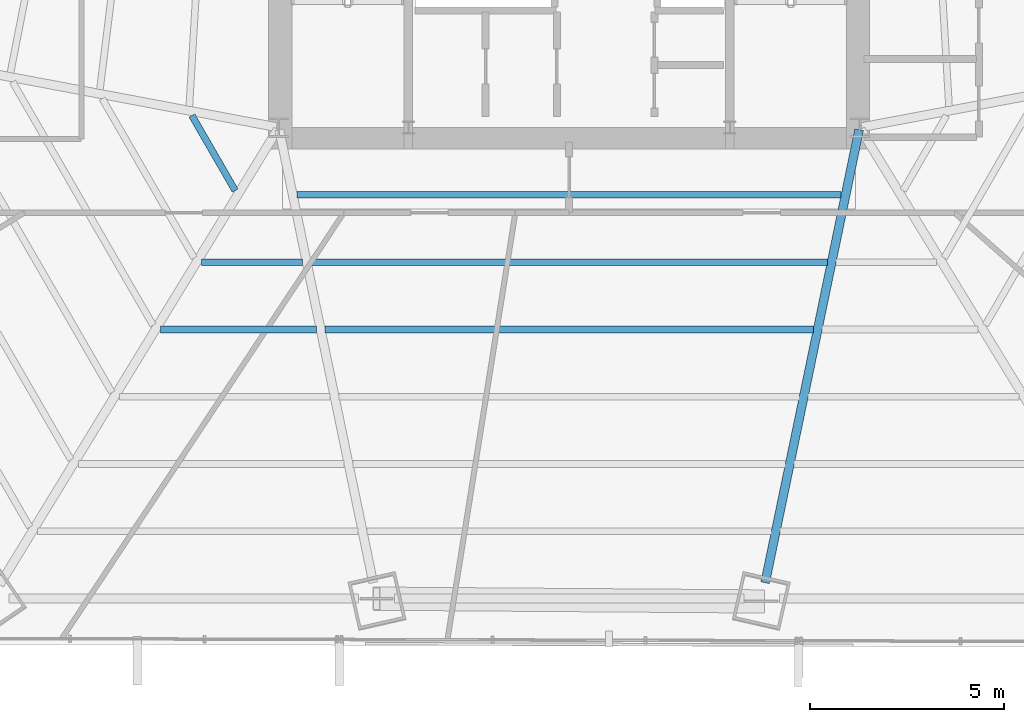
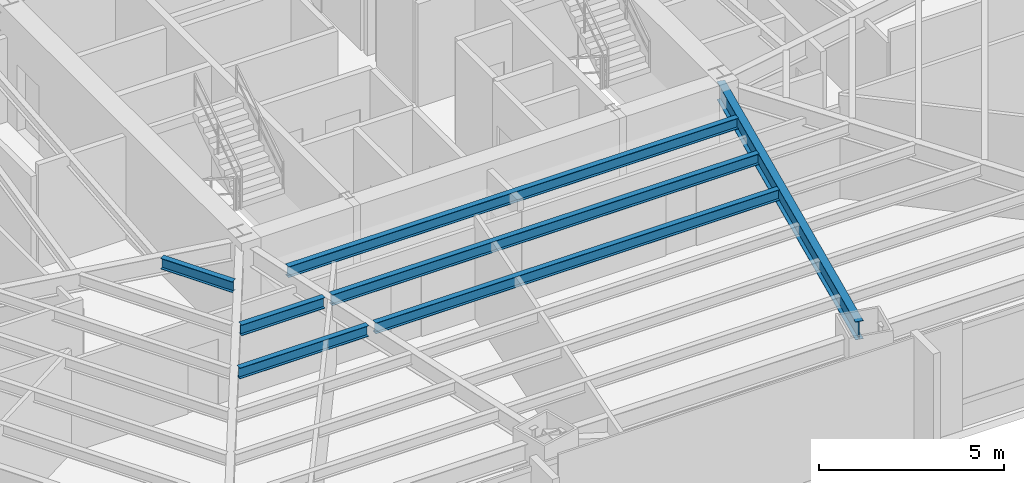
# One storey, part 10 of 37: 7 beams.
"""IFC4 building model written with IfcOpenShell, lengths in metres."""

from ifc_helpers import new_model, si_unit, direction, frame, origin, origin_2d, place, context, subcontext, project, spatial, i_section, extrude, source, transform, mapped, material, material_profile, profile_set, type_object, type_shapes, element, save


model = new_model("IFC4")

# Units and contexts
model_context = context("Model", 3, precision=1e-05, world=origin(), true_north=direction((0.0, 1.0)))
body_context = subcontext(model_context, "Body", "Model", "MODEL_VIEW")
ifc_project = project(units=[si_unit("LENGTHUNIT", "METRE"), si_unit("AREAUNIT", "SQUARE_METRE"), si_unit("VOLUMEUNIT", "CUBIC_METRE"), si_unit("PLANEANGLEUNIT", "RADIAN"), si_unit("MASSUNIT", "GRAM", prefix="KILO")], contexts=[model_context])

# Site, building, storey
site_placement = place(None, origin())
site = spatial("IfcSite", under=ifc_project, at=site_placement, CompositionType="ELEMENT")
building_placement = place(site_placement, origin())
building = spatial("IfcBuilding", under=site, at=building_placement, Name="Caelisora Broadcast Tower", CompositionType="ELEMENT")
storey_placement = place(building_placement, frame((0.0, 0.0, 45.85009765625)))
storey = spatial("IfcBuildingStorey", under=building, at=storey_placement, Name="L11", CompositionType="ELEMENT", Elevation=45.85009765625)

# Beams
ifc_material = material(Name="Steel Grade 350 (AS/NZS 3679.1)", Category="steel")
ifc_material_profile_1 = material_profile(ifc_material, i_section(OverallWidth=0.22802734375, OverallDepth=0.602294921875, WebThickness=0.010498046875, FlangeThickness=0.014892578125, at=origin_2d()), Name="Steel Grade 350 (AS/NZS 3679.1)")
ifc_profile_set_1 = profile_set([ifc_material_profile_1], Name="Steel Grade 350 (AS/NZS 3679.1)")
beam_type_1 = type_object("IfcBeamType", Name="PG04", PredefinedType="BEAM", material=ifc_profile_set_1)
shared_shape_1 = source(origin(), body_context, "Body", "SweptSolid", [
    extrude(i_section(OverallWidth=0.22802734375, OverallDepth=0.602294921875, WebThickness=0.010498046875, FlangeThickness=0.014892578125, at=origin_2d()), origin(), (0.0, 0.0, 1.0), 11.9453125),
])
type_shapes(beam_type_1, [shared_shape_1])
beam_1_placement = place(storey_placement, frame((45.48779296875, 17.34130859375, 3.098876953125), z_axis=(-0.203154347034, -0.979146726125, 0.0), x_axis=(0.979146726125, -0.203154347034, 0.0)))
element("IfcBeam", 1, at=beam_1_placement, inside=storey, type_object=beam_type_1, Name="L11 beam PG04", PredefinedType="BEAM", context=body_context, shape_type="MappedRepresentation", body=[
    mapped(shared_shape_1, transform((0.0, 0.0, 0.0), scale=1.0)),
])
ifc_material_profile_2 = material_profile(ifc_material, i_section(OverallWidth=0.172119140625, OverallDepth=0.358642578125, WebThickness=0.008056640625, FlangeThickness=0.012939453125, at=origin_2d()), Name="Steel Grade 350 (AS/NZS 3679.1)")
ifc_profile_set_2 = profile_set([ifc_material_profile_2], Name="Steel Grade 350 (AS/NZS 3679.1)")
beam_type_2 = type_object("IfcBeamType", Name="SB02", PredefinedType="JOIST", material=ifc_profile_set_2)
shared_shape_2 = source(origin(), body_context, "Body", "SweptSolid", [
    extrude(i_section(OverallWidth=0.172119140625, OverallDepth=0.358642578125, WebThickness=0.008056640625, FlangeThickness=0.012939453125, at=origin_2d()), origin(), (0.0, 0.0, 1.0), 2.23681640625),
])
beam_2_placement = place(storey_placement, frame((28.257080078125, 17.708984375, 3.220703125), z_axis=(0.499977539641, -0.866038370891, 0.0), x_axis=(0.866038370891, 0.499977539641, 0.0)))
element("IfcBeam", 2, at=beam_2_placement, inside=storey, type_object=beam_type_2, Name="L11 beam SB02", PredefinedType="JOIST", context=body_context, shape_type="MappedRepresentation", body=[
    mapped(shared_shape_2, transform((0.0, 0.0, 0.0), scale=1.0)),
])
shared_shape_3 = source(origin(), body_context, "Body", "SweptSolid", [
    extrude(i_section(OverallWidth=0.172119140625, OverallDepth=0.358642578125, WebThickness=0.008056640625, FlangeThickness=0.012939453125, at=origin_2d()), origin(), (0.0, 0.0, 1.0), 2.599365234375),
])
beam_3_placement = place(storey_placement, frame((28.508544921875, 13.923828125, 3.220703125), z_axis=(1.0, 0.0, 0.0), x_axis=(0.0, 1.0, 0.0)))
element("IfcBeam", 3, at=beam_3_placement, inside=storey, type_object=beam_type_2, Name="L11 beam SB02", PredefinedType="JOIST", context=body_context, shape_type="MappedRepresentation", body=[
    mapped(shared_shape_3, transform((0.0, 0.0, 0.0), scale=1.0)),
])
shared_shape_4 = source(origin(), body_context, "Body", "SweptSolid", [
    extrude(i_section(OverallWidth=0.172119140625, OverallDepth=0.358642578125, WebThickness=0.008056640625, FlangeThickness=0.012939453125, at=origin_2d()), origin(), (0.0, 0.0, 1.0), 4.02099609375),
])
beam_4_placement = place(storey_placement, frame((27.447509765625, 12.185791015625, 3.220703125), z_axis=(1.0, 0.0, 0.0), x_axis=(0.0, 1.0, 0.0)))
element("IfcBeam", 4, at=beam_4_placement, inside=storey, type_object=beam_type_2, Name="L11 beam SB02", PredefinedType="JOIST", context=body_context, shape_type="MappedRepresentation", body=[
    mapped(shared_shape_4, transform((0.0, 0.0, 0.0), scale=1.0)),
])
shared_shape_5 = source(origin(), body_context, "Body", "SweptSolid", [
    extrude(i_section(OverallWidth=0.172119140625, OverallDepth=0.358642578125, WebThickness=0.008056640625, FlangeThickness=0.012939453125, at=origin_2d()), origin(), (0.0, 0.0, 1.0), 14.0517578125),
])
beam_5_placement = place(storey_placement, frame((30.97412109375, 15.662109375, 3.220703125), z_axis=(1.0, 0.0, 0.0), x_axis=(0.0, 1.0, 0.0)))
element("IfcBeam", 5, at=beam_5_placement, inside=storey, type_object=beam_type_2, Name="L11 beam SB02", PredefinedType="JOIST", context=body_context, shape_type="MappedRepresentation", body=[
    mapped(shared_shape_5, transform((0.0, 0.0, 0.0), scale=1.0)),
])
shared_shape_6 = source(origin(), body_context, "Body", "SweptSolid", [
    extrude(i_section(OverallWidth=0.172119140625, OverallDepth=0.358642578125, WebThickness=0.008056640625, FlangeThickness=0.012939453125, at=origin_2d()), origin(), (0.0, 0.0, 1.0), 13.33056640625),
])
beam_6_placement = place(storey_placement, frame((31.334716796875, 13.923828125, 3.220703125), z_axis=(1.0, 0.0, 0.0), x_axis=(0.0, 1.0, 0.0)))
element("IfcBeam", 6, at=beam_6_placement, inside=storey, type_object=beam_type_2, Name="L11 beam SB02", PredefinedType="JOIST", context=body_context, shape_type="MappedRepresentation", body=[
    mapped(shared_shape_6, transform((0.0, 0.0, 0.0), scale=1.0)),
])
shared_shape_7 = source(origin(), body_context, "Body", "SweptSolid", [
    extrude(i_section(OverallWidth=0.172119140625, OverallDepth=0.358642578125, WebThickness=0.008056640625, FlangeThickness=0.012939453125, at=origin_2d()), origin(), (0.0, 0.0, 1.0), 12.609375),
])
type_shapes(beam_type_2, [shared_shape_2, shared_shape_3, shared_shape_4, shared_shape_5, shared_shape_6, shared_shape_7])
beam_7_placement = place(storey_placement, frame((31.6953125, 12.185791015625, 3.220703125), z_axis=(1.0, 0.0, 0.0), x_axis=(0.0, 1.0, 0.0)))
element("IfcBeam", 7, at=beam_7_placement, inside=storey, type_object=beam_type_2, Name="L11 beam SB02", PredefinedType="JOIST", context=body_context, shape_type="MappedRepresentation", body=[
    mapped(shared_shape_7, transform((0.0, 0.0, 0.0), scale=1.0)),
])

save(model, "model.ifc")
